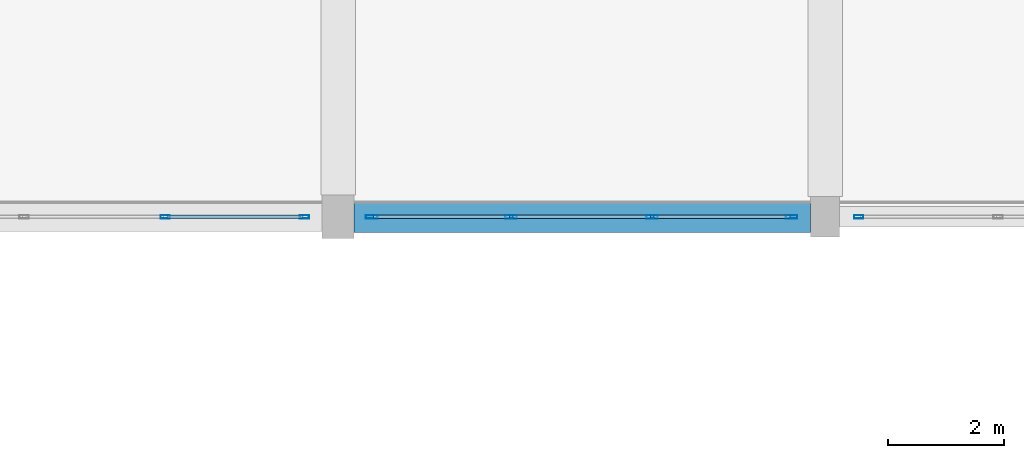
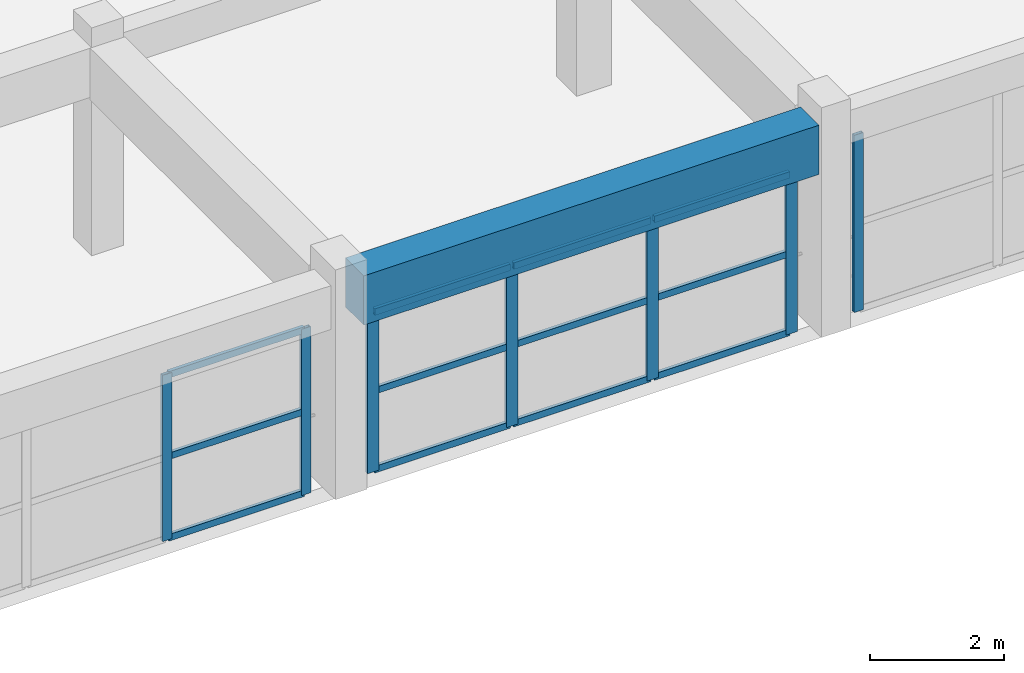
# One storey, part 15 of 74: 19 members, 1 beam, 3 elements without a shape of their own.
"""IFC4 building model written with IfcOpenShell, lengths in metres."""

from ifc_helpers import new_model, si_unit, direction, frame, origin, origin_2d, place, context, subcontext, project, spatial, rectangle, hollow_rectangle, extrude, material, material_profile, profile_set, type_object, element, aggregate, save


model = new_model("IFC4")

# Units and contexts
model_context = context("Model", 3, precision=1e-05, world=origin(), true_north=direction((0.0, 1.0)))
body_context = subcontext(model_context, "Body", "Model", "MODEL_VIEW")
ifc_project = project(units=[si_unit("LENGTHUNIT", "METRE"), si_unit("AREAUNIT", "SQUARE_METRE"), si_unit("VOLUMEUNIT", "CUBIC_METRE"), si_unit("PLANEANGLEUNIT", "RADIAN"), si_unit("MASSUNIT", "GRAM", prefix="KILO")], contexts=[model_context])

# Site, building, storey
site_placement = place(None, origin())
site = spatial("IfcSite", under=ifc_project, at=site_placement, CompositionType="ELEMENT")
building_placement = place(site_placement, origin())
building = spatial("IfcBuilding", under=site, at=building_placement, Name="Korsvaeld Concert Hall", CompositionType="ELEMENT")
storey_placement = place(building_placement, frame((0.0, 0.0, 9.0)))
storey = spatial("IfcBuildingStorey", under=building, at=storey_placement, Name="L02", CompositionType="ELEMENT", Elevation=9.0)

# Beam
ifc_material_1 = material(Name="Concrete C40/50", Category="concrete")
ifc_material_profile_1 = material_profile(ifc_material_1, rectangle(XDim=0.550048828125, YDim=0.89990234375, at=origin_2d()), Name="RC 550x900")
ifc_profile_set_1 = profile_set([ifc_material_profile_1], Name="Concrete C40/50")
beam_type = type_object("IfcBeamType", Name="BM-RC-550x900", PredefinedType="T_BEAM", material=ifc_profile_set_1)
beam_placement = place(storey_placement, frame((75.875, 28.800048828125, 3.389892578125), z_axis=(1.0, 0.0, 0.0), x_axis=(0.0, 1.0, 0.0)))
element("IfcBeam", 1, at=beam_placement, inside=storey, type_object=beam_type, Name="Primary girder 11-12/E L02", PredefinedType="T_BEAM", context=body_context, shape_type="SweptSolid", body=[
    extrude(rectangle(XDim=0.550048828125, YDim=0.89990234375, at=origin_2d()), origin(), (0.0, 0.0, 1.0), 7.875),
])

# Curtain wall, member
ifc_material_2 = material(Name="Anodised bronze and ceramic-fritted safety glass", Category="glass")
curtain_wall_type_1 = type_object("IfcCurtainWallType", Name="CW-TYPE-15", PredefinedType="USERDEFINED", material=ifc_material_2)
curtain_wall_1_placement = place(storey_placement, origin())
curtain_wall_1 = element("IfcCurtainWall", 2, at=curtain_wall_1_placement, inside=storey, type_object=curtain_wall_type_1, Name="Wintergarden foyer curtain wall L02-15", ObjectType="CURTAIN WALL", PredefinedType="USERDEFINED")
ifc_material_3 = material(Name="Anodised architectural bronze aluminium", Category="aluminium")
ifc_material_profile_2 = material_profile(ifc_material_3, hollow_rectangle(XDim=0.06005859375, YDim=0.159912109375, WallThickness=0.00390625, at=origin_2d()), Name="CWM 160x60x4")
ifc_profile_set_2 = profile_set([ifc_material_profile_2], Name="Anodised architectural bronze aluminium")
member_type_1 = type_object("IfcMemberType", Name="CWM-ALUM-160x60", PredefinedType="MULLION", material=ifc_profile_set_2)
member_1_placement = place(storey_placement, frame((84.580078125, 28.800048828125, 0.0), z_axis=(0.0, 0.0, 1.0), x_axis=(0.0, -1.0, 0.0)))
member_1 = element("IfcMember", 3, at=member_1_placement, type_object=member_type_1, Name="CW-15 mullion 4", PredefinedType="MULLION", context=body_context, shape_type="SweptSolid", body=[
    extrude(hollow_rectangle(XDim=0.06005859375, YDim=0.159912109375, WallThickness=0.00390625, at=origin_2d()), origin(), (0.0, 0.0, 1.0), 3.239990234375),
])
aggregate(curtain_wall_1, [member_1])

# Curtain wall, members
curtain_wall_type_2 = type_object("IfcCurtainWallType", Name="CW-TYPE-09", PredefinedType="USERDEFINED", material=ifc_material_2)
curtain_wall_2_placement = place(storey_placement, origin())
curtain_wall_2 = element("IfcCurtainWall", 4, at=curtain_wall_2_placement, inside=storey, type_object=curtain_wall_type_2, Name="Wintergarden foyer curtain wall L02-17", ObjectType="CURTAIN WALL", PredefinedType="USERDEFINED")
member_2_placement = place(storey_placement, frame((75.02001953125, 28.800048828125, 0.0), z_axis=(0.0, 0.0, 1.0), x_axis=(0.0, -1.0, 0.0)))
member_2 = element("IfcMember", 5, at=member_2_placement, type_object=member_type_1, Name="CW-09 mullion 1", PredefinedType="MULLION", context=body_context, shape_type="SweptSolid", body=[
    extrude(hollow_rectangle(XDim=0.06005859375, YDim=0.159912109375, WallThickness=0.00390625, at=origin_2d()), origin(), (0.0, 0.0, 1.0), 3.0400390625),
])
member_3_placement = place(storey_placement, frame((72.61669921875, 28.800048828125, 0.0), z_axis=(0.0, 0.0, 1.0), x_axis=(0.0, -1.0, 0.0)))
member_3 = element("IfcMember", 6, at=member_3_placement, type_object=member_type_1, Name="CW-09 mullion 2", PredefinedType="MULLION", context=body_context, shape_type="SweptSolid", body=[
    extrude(hollow_rectangle(XDim=0.06005859375, YDim=0.159912109375, WallThickness=0.00390625, at=origin_2d()), origin(), (0.0, 0.0, 1.0), 3.0400390625),
])

curtain_wall_type_3 = type_object("IfcCurtainWallType", Name="CW-TYPE-08", PredefinedType="USERDEFINED", material=ifc_material_2)
curtain_wall_3_placement = place(storey_placement, origin())
curtain_wall_3 = element("IfcCurtainWall", 7, at=curtain_wall_3_placement, inside=storey, type_object=curtain_wall_type_3, Name="Wintergarden foyer curtain wall L02-16", ObjectType="CURTAIN WALL", PredefinedType="USERDEFINED")
ifc_material_profile_3 = material_profile(ifc_material_3, hollow_rectangle(XDim=0.06005859375, YDim=0.199951171875, WallThickness=0.0048828125, at=origin_2d()), Name="CWM 200x60x5")
ifc_profile_set_3 = profile_set([ifc_material_profile_3], Name="Anodised architectural bronze aluminium")
member_type_2 = type_object("IfcMemberType", Name="CWM-ALUM-200x60", PredefinedType="MULLION", material=ifc_profile_set_3)
member_4_placement = place(storey_placement, frame((83.419921875, 28.800048828125, 0.0), z_axis=(0.0, 0.0, 1.0), x_axis=(0.0, -1.0, 0.0)))
member_4 = element("IfcMember", 8, at=member_4_placement, type_object=member_type_2, Name="CW-08 mullion 1", PredefinedType="MULLION", context=body_context, shape_type="SweptSolid", body=[
    extrude(hollow_rectangle(XDim=0.06005859375, YDim=0.199951171875, WallThickness=0.0048828125, at=origin_2d()), origin(), (0.0, 0.0, 1.0), 2.93994140625),
])
member_5_placement = place(storey_placement, frame((81.0166015625, 28.800048828125, 0.0), z_axis=(0.0, 0.0, 1.0), x_axis=(0.0, -1.0, 0.0)))
member_5 = element("IfcMember", 9, at=member_5_placement, type_object=member_type_2, Name="CW-08 mullion 2", PredefinedType="MULLION", context=body_context, shape_type="SweptSolid", body=[
    extrude(hollow_rectangle(XDim=0.06005859375, YDim=0.199951171875, WallThickness=0.0048828125, at=origin_2d()), origin(), (0.0, 0.0, 1.0), 2.93994140625),
])
member_6_placement = place(storey_placement, frame((78.583251953125, 28.800048828125, 0.0), z_axis=(0.0, 0.0, 1.0), x_axis=(0.0, -1.0, 0.0)))
member_6 = element("IfcMember", 10, at=member_6_placement, type_object=member_type_2, Name="CW-08 mullion 3", PredefinedType="MULLION", context=body_context, shape_type="SweptSolid", body=[
    extrude(hollow_rectangle(XDim=0.06005859375, YDim=0.199951171875, WallThickness=0.0048828125, at=origin_2d()), origin(), (0.0, 0.0, 1.0), 2.93994140625),
])
member_7_placement = place(storey_placement, frame((76.179931640625, 28.800048828125, 0.0), z_axis=(0.0, 0.0, 1.0), x_axis=(0.0, -1.0, 0.0)))
member_7 = element("IfcMember", 11, at=member_7_placement, type_object=member_type_2, Name="CW-08 mullion 4", PredefinedType="MULLION", context=body_context, shape_type="SweptSolid", body=[
    extrude(hollow_rectangle(XDim=0.06005859375, YDim=0.199951171875, WallThickness=0.0048828125, at=origin_2d()), origin(), (0.0, 0.0, 1.0), 2.93994140625),
])
ifc_material_profile_4 = material_profile(ifc_material_3, hollow_rectangle(XDim=0.06005859375, YDim=0.1201171875, WallThickness=0.00390625, at=origin_2d()), Name="CWT 120x60x4")
ifc_profile_set_4 = profile_set([ifc_material_profile_4], Name="Anodised architectural bronze aluminium")
member_type_3 = type_object("IfcMemberType", Name="CWT-ALUM-120x60", PredefinedType="USERDEFINED", material=ifc_profile_set_4)
member_8_placement = place(storey_placement, frame((83.389892578125, 28.800048828125, 0.030029296875), z_axis=(-1.0, 0.0, 0.0), x_axis=(0.0, -1.0, 0.0)))
member_8 = element("IfcMember", 12, at=member_8_placement, type_object=member_type_3, Name="CW-08 transom 1.1", ObjectType="TRANSOM", PredefinedType="USERDEFINED", context=body_context, shape_type="SweptSolid", body=[
    extrude(hollow_rectangle(XDim=0.06005859375, YDim=0.1201171875, WallThickness=0.00390625, at=origin_2d()), origin(), (0.0, 0.0, 1.0), 2.34326171875),
])
member_9_placement = place(storey_placement, frame((83.389892578125, 28.800048828125, 1.469970703125), z_axis=(-1.0, 0.0, 0.0), x_axis=(0.0, -1.0, 0.0)))
member_9 = element("IfcMember", 13, at=member_9_placement, type_object=member_type_3, Name="CW-08 transom 1.2", ObjectType="TRANSOM", PredefinedType="USERDEFINED", context=body_context, shape_type="SweptSolid", body=[
    extrude(hollow_rectangle(XDim=0.06005859375, YDim=0.1201171875, WallThickness=0.00390625, at=origin_2d()), origin(), (0.0, 0.0, 1.0), 2.34326171875),
])
member_10_placement = place(storey_placement, frame((83.389892578125, 28.800048828125, 2.909912109375), z_axis=(-1.0, 0.0, 0.0), x_axis=(0.0, -1.0, 0.0)))
member_10 = element("IfcMember", 14, at=member_10_placement, type_object=member_type_3, Name="CW-08 transom 1.3", ObjectType="TRANSOM", PredefinedType="USERDEFINED", context=body_context, shape_type="SweptSolid", body=[
    extrude(hollow_rectangle(XDim=0.06005859375, YDim=0.1201171875, WallThickness=0.00390625, at=origin_2d()), origin(), (0.0, 0.0, 1.0), 2.34326171875),
])
member_11_placement = place(storey_placement, frame((80.986572265625, 28.800048828125, 0.030029296875), z_axis=(-1.0, 0.0, 0.0), x_axis=(0.0, -1.0, 0.0)))
member_11 = element("IfcMember", 15, at=member_11_placement, type_object=member_type_3, Name="CW-08 transom 2.1", ObjectType="TRANSOM", PredefinedType="USERDEFINED", context=body_context, shape_type="SweptSolid", body=[
    extrude(hollow_rectangle(XDim=0.06005859375, YDim=0.1201171875, WallThickness=0.00390625, at=origin_2d()), origin(), (0.0, 0.0, 1.0), 2.373291015625),
])
member_12_placement = place(storey_placement, frame((80.986572265625, 28.800048828125, 1.469970703125), z_axis=(-1.0, 0.0, 0.0), x_axis=(0.0, -1.0, 0.0)))
member_12 = element("IfcMember", 16, at=member_12_placement, type_object=member_type_3, Name="CW-08 transom 2.2", ObjectType="TRANSOM", PredefinedType="USERDEFINED", context=body_context, shape_type="SweptSolid", body=[
    extrude(hollow_rectangle(XDim=0.06005859375, YDim=0.1201171875, WallThickness=0.00390625, at=origin_2d()), origin(), (0.0, 0.0, 1.0), 2.373291015625),
])
member_13_placement = place(storey_placement, frame((80.986572265625, 28.800048828125, 2.909912109375), z_axis=(-1.0, 0.0, 0.0), x_axis=(0.0, -1.0, 0.0)))
member_13 = element("IfcMember", 17, at=member_13_placement, type_object=member_type_3, Name="CW-08 transom 2.3", ObjectType="TRANSOM", PredefinedType="USERDEFINED", context=body_context, shape_type="SweptSolid", body=[
    extrude(hollow_rectangle(XDim=0.06005859375, YDim=0.1201171875, WallThickness=0.00390625, at=origin_2d()), origin(), (0.0, 0.0, 1.0), 2.373291015625),
])
member_14_placement = place(storey_placement, frame((78.55322265625, 28.800048828125, 0.030029296875), z_axis=(-1.0, 0.0, 0.0), x_axis=(0.0, -1.0, 0.0)))
member_14 = element("IfcMember", 18, at=member_14_placement, type_object=member_type_3, Name="CW-08 transom 3.1", ObjectType="TRANSOM", PredefinedType="USERDEFINED", context=body_context, shape_type="SweptSolid", body=[
    extrude(hollow_rectangle(XDim=0.06005859375, YDim=0.1201171875, WallThickness=0.00390625, at=origin_2d()), origin(), (0.0, 0.0, 1.0), 2.34326171875),
])
member_15_placement = place(storey_placement, frame((78.55322265625, 28.800048828125, 1.469970703125), z_axis=(-1.0, 0.0, 0.0), x_axis=(0.0, -1.0, 0.0)))
member_15 = element("IfcMember", 19, at=member_15_placement, type_object=member_type_3, Name="CW-08 transom 3.2", ObjectType="TRANSOM", PredefinedType="USERDEFINED", context=body_context, shape_type="SweptSolid", body=[
    extrude(hollow_rectangle(XDim=0.06005859375, YDim=0.1201171875, WallThickness=0.00390625, at=origin_2d()), origin(), (0.0, 0.0, 1.0), 2.34326171875),
])
member_16_placement = place(storey_placement, frame((78.55322265625, 28.800048828125, 2.909912109375), z_axis=(-1.0, 0.0, 0.0), x_axis=(0.0, -1.0, 0.0)))
member_16 = element("IfcMember", 20, at=member_16_placement, type_object=member_type_3, Name="CW-08 transom 3.3", ObjectType="TRANSOM", PredefinedType="USERDEFINED", context=body_context, shape_type="SweptSolid", body=[
    extrude(hollow_rectangle(XDim=0.06005859375, YDim=0.1201171875, WallThickness=0.00390625, at=origin_2d()), origin(), (0.0, 0.0, 1.0), 2.34326171875),
])
aggregate(curtain_wall_3, [member_4, member_5, member_6, member_7, member_8, member_9, member_10, member_11, member_12, member_13, member_14, member_15, member_16])

# Member
member_17_placement = place(storey_placement, frame((74.989990234375, 28.800048828125, 0.030029296875), z_axis=(-1.0, 0.0, 0.0), x_axis=(0.0, -1.0, 0.0)))
member_17 = element("IfcMember", 21, at=member_17_placement, type_object=member_type_3, Name="CW-09 transom 1.1", ObjectType="TRANSOM", PredefinedType="USERDEFINED", context=body_context, shape_type="SweptSolid", body=[
    extrude(hollow_rectangle(XDim=0.06005859375, YDim=0.1201171875, WallThickness=0.00390625, at=origin_2d()), origin(), (0.0, 0.0, 1.0), 2.34326171875),
])

member_18_placement = place(storey_placement, frame((74.989990234375, 28.800048828125, 1.52001953125), z_axis=(-1.0, 0.0, 0.0), x_axis=(0.0, -1.0, 0.0)))
member_18 = element("IfcMember", 22, at=member_18_placement, type_object=member_type_3, Name="CW-09 transom 1.2", ObjectType="TRANSOM", PredefinedType="USERDEFINED", context=body_context, shape_type="SweptSolid", body=[
    extrude(hollow_rectangle(XDim=0.06005859375, YDim=0.1201171875, WallThickness=0.00390625, at=origin_2d()), origin(), (0.0, 0.0, 1.0), 2.34326171875),
])

member_19_placement = place(storey_placement, frame((74.989990234375, 28.800048828125, 3.010009765625), z_axis=(-1.0, 0.0, 0.0), x_axis=(0.0, -1.0, 0.0)))
member_19 = element("IfcMember", 23, at=member_19_placement, type_object=member_type_3, Name="CW-09 transom 1.3", ObjectType="TRANSOM", PredefinedType="USERDEFINED", context=body_context, shape_type="SweptSolid", body=[
    extrude(hollow_rectangle(XDim=0.06005859375, YDim=0.1201171875, WallThickness=0.00390625, at=origin_2d()), origin(), (0.0, 0.0, 1.0), 2.34326171875),
])

aggregate(curtain_wall_2, [member_2, member_3, member_17, member_18, member_19])

save(model, "model.ifc")
